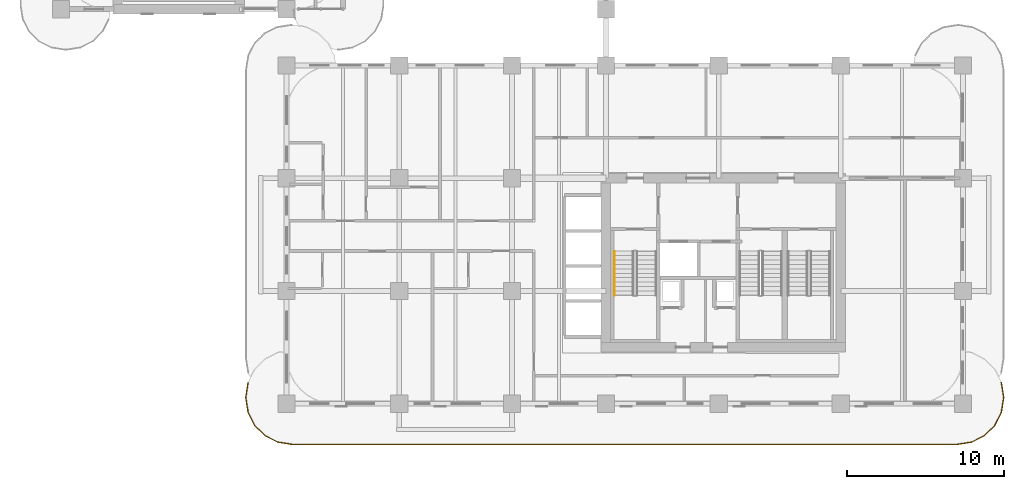
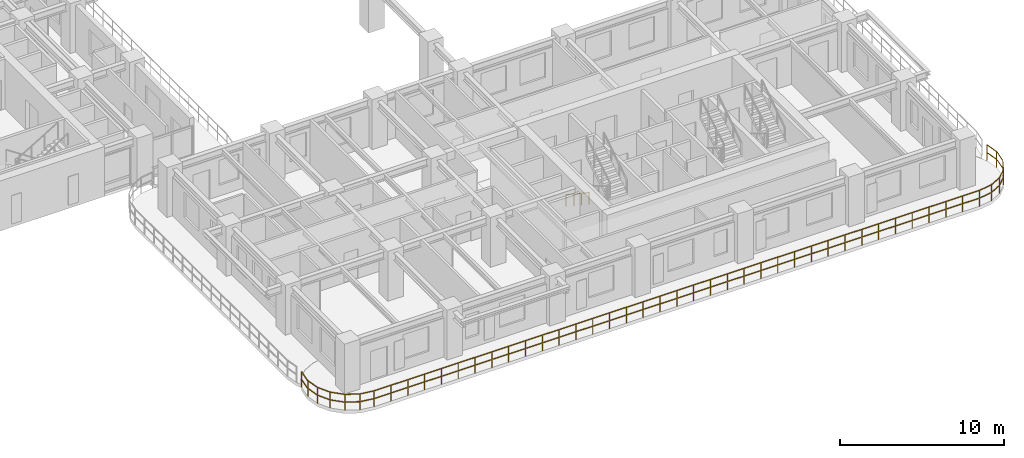
# One storey, part 14 of 19: 2 railings.
"""IFC4 building model written with IfcOpenShell, lengths in metres."""

from ifc_helpers import new_model, si_unit, derived_unit, direction, frame, origin, origin_2d, place, context, subcontext, project, spatial, rectangle, extrude, material, type_object, element, save


model = new_model("IFC4")

# Units and contexts
model_context = context("Model", 3, precision=1e-05, world=origin(), true_north=direction((0.0, 1.0)))
body_context = subcontext(model_context, "Body", "Model", "MODEL_VIEW")
ifc_project = project(units=[si_unit("LENGTHUNIT", "METRE"), si_unit("AREAUNIT", "SQUARE_METRE"), si_unit("VOLUMEUNIT", "CUBIC_METRE"), si_unit("PLANEANGLEUNIT", "RADIAN"), si_unit("MASSUNIT", "GRAM", prefix="KILO"), si_unit("THERMODYNAMICTEMPERATUREUNIT", "KELVIN"), si_unit("POWERUNIT", "WATT"), derived_unit("THERMALTRANSMITTANCEUNIT", [(si_unit("POWERUNIT", "WATT"), 1), (si_unit("AREAUNIT", "SQUARE_METRE"), -1), (si_unit("THERMODYNAMICTEMPERATUREUNIT", "KELVIN"), -1)])], contexts=[model_context])

# Site, building, storey
site_placement = place(None, origin())
site = spatial("IfcSite", under=ifc_project, at=site_placement, CompositionType="ELEMENT")
building_placement = place(site_placement, origin())
building = spatial("IfcBuilding", under=site, at=building_placement, Name="Zahravan Archway Hotel and Residences", CompositionType="ELEMENT")
storey_placement = place(building_placement, frame((0.0, 0.0, 39.800048828125)))
storey = spatial("IfcBuildingStorey", under=building, at=storey_placement, Name="L08", CompositionType="ELEMENT", Elevation=39.800048828125)

# Railings
ifc_material_1 = material(Name="Bronze & Laminated Glass Balustrade", Category="glass")
railing_type_1 = type_object("IfcRailingType", Name="RL-BAL-1200", PredefinedType="BALUSTRADE", material=ifc_material_1)
railing_1_placement = place(storey_placement, frame((60.0556640625, 1.361572265625, 0.0)))
element("IfcRailing", 1, at=railing_1_placement, inside=storey, type_object=railing_type_1, Name="L08 Balustrade RL-SLB-BAL-L08-SA-1", PredefinedType="BALUSTRADE", context=body_context, shape_type="SweptSolid", body=[
    extrude(rectangle(XDim=0.048095703125, YDim=0.048095703125, at=origin_2d()), frame((0.0, 0.0, 1.17578125), z_axis=(0.156329311416, -0.987704989555, 0.0), x_axis=(0.987704989555, 0.156329311416, 0.0)), (0.0, 0.0, 1.0), 0.9228515625),
    extrude(rectangle(XDim=0.048095703125, YDim=0.048095703125, at=origin_2d()), frame((0.0, 0.0, 0.60009765625), z_axis=(0.156329311416, -0.987704989555, 0.0), x_axis=(0.987704989555, 0.156329311416, 0.0)), (0.0, 0.0, 1.0), 0.9228515625),
    extrude(rectangle(XDim=0.048095703125, YDim=0.048095703125, at=origin_2d()), frame((0.144287109375, -0.91162109375, 1.17578125), z_axis=(0.0, -1.0, 0.0), x_axis=(1.0, 0.0, 0.0)), (0.0, 0.0, 1.0), 0.099853515625),
    extrude(rectangle(XDim=0.048095703125, YDim=0.048095703125, at=origin_2d()), frame((0.144287109375, -0.91162109375, 0.60009765625), z_axis=(0.0, -1.0, 0.0), x_axis=(1.0, 0.0, 0.0)), (0.0, 0.0, 1.0), 0.099853515625),
    extrude(rectangle(XDim=0.048095703125, YDim=0.048095703125, at=origin_2d()), frame((0.144287109375, -1.011474609375, 1.17578125), z_axis=(-0.156329311416, -0.987704989555, 0.0), x_axis=(0.987704989555, -0.156329311416, 0.0)), (0.0, 0.0, 1.0), 0.9228515625),
    extrude(rectangle(XDim=0.048095703125, YDim=0.048095703125, at=origin_2d()), frame((0.144287109375, -1.011474609375, 0.60009765625), z_axis=(-0.156329311416, -0.987704989555, 0.0), x_axis=(0.987704989555, -0.156329311416, 0.0)), (0.0, 0.0, 1.0), 0.9228515625),
    extrude(rectangle(XDim=0.048095703125, YDim=0.048095703125, at=origin_2d()), frame((0.0, -1.923095703125, 1.17578125), z_axis=(-0.453866348456, -0.891069771532, 0.0), x_axis=(0.891069771532, -0.453866348456, 0.0)), (0.0, 0.0, 1.0), 0.923095703125),
    extrude(rectangle(XDim=0.048095703125, YDim=0.048095703125, at=origin_2d()), frame((0.0, -1.923095703125, 0.60009765625), z_axis=(-0.453866348456, -0.891069771532, 0.0), x_axis=(0.891069771532, -0.453866348456, 0.0)), (0.0, 0.0, 1.0), 0.923095703125),
    extrude(rectangle(XDim=0.048095703125, YDim=0.048095703125, at=origin_2d()), frame((-0.4189453125, -2.74560546875, 1.17578125), z_axis=(-0.707239012465, -0.706974525176, 0.0), x_axis=(0.706974525176, -0.707239012465, 0.0)), (0.0, 0.0, 1.0), 0.923095703125),
    extrude(rectangle(XDim=0.048095703125, YDim=0.048095703125, at=origin_2d()), frame((-0.4189453125, -2.74560546875, 0.60009765625), z_axis=(-0.707239012465, -0.706974525176, 0.0), x_axis=(0.706974525176, -0.707239012465, 0.0)), (0.0, 0.0, 1.0), 0.923095703125),
    extrude(rectangle(XDim=0.048095703125, YDim=0.048095703125, at=origin_2d()), frame((-1.07177734375, -3.398193359375, 1.17578125), z_axis=(-0.891015268556, -0.453973337542, 0.0), x_axis=(0.453973337542, -0.891015268556, 0.0)), (0.0, 0.0, 1.0), 0.9228515625),
    extrude(rectangle(XDim=0.048095703125, YDim=0.048095703125, at=origin_2d()), frame((-1.07177734375, -3.398193359375, 0.60009765625), z_axis=(-0.891015268556, -0.453973337542, 0.0), x_axis=(0.453973337542, -0.891015268556, 0.0)), (0.0, 0.0, 1.0), 0.9228515625),
    extrude(rectangle(XDim=0.048095703125, YDim=0.048095703125, at=origin_2d()), frame((-1.89404296875, -3.817138671875, 1.17578125), z_axis=(-0.98766411426, -0.156587347521, 0.0), x_axis=(0.156587347521, -0.98766411426, 0.0)), (0.0, 0.0, 1.0), 0.923095703125),
    extrude(rectangle(XDim=0.048095703125, YDim=0.048095703125, at=origin_2d()), frame((-1.89404296875, -3.817138671875, 0.60009765625), z_axis=(-0.98766411426, -0.156587347521, 0.0), x_axis=(0.156587347521, -0.98766411426, 0.0)), (0.0, 0.0, 1.0), 0.923095703125),
    extrude(rectangle(XDim=0.048095703125, YDim=0.048095703125, at=origin_2d()), frame((-2.8056640625, -3.961669921875, 1.17578125), z_axis=(-1.0, 0.0, 0.0), x_axis=(0.0, -1.0, 0.0)), (0.0, 0.0, 1.0), 42.5),
    extrude(rectangle(XDim=0.048095703125, YDim=0.048095703125, at=origin_2d()), frame((-2.8056640625, -3.961669921875, 0.60009765625), z_axis=(-1.0, 0.0, 0.0), x_axis=(0.0, -1.0, 0.0)), (0.0, 0.0, 1.0), 42.5),
    extrude(rectangle(XDim=0.048095703125, YDim=0.048095703125, at=origin_2d()), frame((-45.3056640625, -3.961669921875, 1.17578125), z_axis=(-0.98766411426, 0.156587347521, 0.0), x_axis=(-0.156587347521, -0.98766411426, 0.0)), (0.0, 0.0, 1.0), 0.923095703125),
    extrude(rectangle(XDim=0.048095703125, YDim=0.048095703125, at=origin_2d()), frame((-45.3056640625, -3.961669921875, 0.60009765625), z_axis=(-0.98766411426, 0.156587347521, 0.0), x_axis=(-0.156587347521, -0.98766411426, 0.0)), (0.0, 0.0, 1.0), 0.923095703125),
    extrude(rectangle(XDim=0.048095703125, YDim=0.048095703125, at=origin_2d()), frame((-46.21728515625, -3.817138671875, 1.17578125), z_axis=(-0.891015268556, 0.453973337542, 0.0), x_axis=(-0.453973337542, -0.891015268556, 0.0)), (0.0, 0.0, 1.0), 0.9228515625),
    extrude(rectangle(XDim=0.048095703125, YDim=0.048095703125, at=origin_2d()), frame((-46.21728515625, -3.817138671875, 0.60009765625), z_axis=(-0.891015268556, 0.453973337542, 0.0), x_axis=(-0.453973337542, -0.891015268556, 0.0)), (0.0, 0.0, 1.0), 0.9228515625),
    extrude(rectangle(XDim=0.048095703125, YDim=0.048095703125, at=origin_2d()), frame((-47.03955078125, -3.398193359375, 1.17578125), z_axis=(-0.707239012465, 0.706974525176, 0.0), x_axis=(-0.706974525176, -0.707239012465, 0.0)), (0.0, 0.0, 1.0), 0.923095703125),
    extrude(rectangle(XDim=0.048095703125, YDim=0.048095703125, at=origin_2d()), frame((-47.03955078125, -3.398193359375, 0.60009765625), z_axis=(-0.707239012465, 0.706974525176, 0.0), x_axis=(-0.706974525176, -0.707239012465, 0.0)), (0.0, 0.0, 1.0), 0.923095703125),
    extrude(rectangle(XDim=0.048095703125, YDim=0.048095703125, at=origin_2d()), frame((-47.6923828125, -2.74560546875, 1.17578125), z_axis=(-0.453866348456, 0.891069771532, 0.0), x_axis=(-0.891069771532, -0.453866348456, 0.0)), (0.0, 0.0, 1.0), 0.923095703125),
    extrude(rectangle(XDim=0.048095703125, YDim=0.048095703125, at=origin_2d()), frame((-47.6923828125, -2.74560546875, 0.60009765625), z_axis=(-0.453866348456, 0.891069771532, 0.0), x_axis=(-0.891069771532, -0.453866348456, 0.0)), (0.0, 0.0, 1.0), 0.923095703125),
    extrude(rectangle(XDim=0.048095703125, YDim=0.048095703125, at=origin_2d()), frame((-48.111328125, -1.923095703125, 1.17578125), z_axis=(-0.156329311416, 0.987704989555, 0.0), x_axis=(-0.987704989555, -0.156329311416, 0.0)), (0.0, 0.0, 1.0), 0.9228515625),
    extrude(rectangle(XDim=0.048095703125, YDim=0.048095703125, at=origin_2d()), frame((-48.111328125, -1.923095703125, 0.60009765625), z_axis=(-0.156329311416, 0.987704989555, 0.0), x_axis=(-0.987704989555, -0.156329311416, 0.0)), (0.0, 0.0, 1.0), 0.9228515625),
    extrude(rectangle(XDim=0.048095703125, YDim=0.048095703125, at=origin_2d()), frame((-48.255615234375, -1.011474609375, 1.17578125), z_axis=(0.0, 1.0, 0.0), x_axis=(-1.0, 0.0, 0.0)), (0.0, 0.0, 1.0), 0.099853515625),
    extrude(rectangle(XDim=0.048095703125, YDim=0.048095703125, at=origin_2d()), frame((-48.255615234375, -1.011474609375, 0.60009765625), z_axis=(0.0, 1.0, 0.0), x_axis=(-1.0, 0.0, 0.0)), (0.0, 0.0, 1.0), 0.099853515625),
    extrude(rectangle(XDim=0.048095703125, YDim=0.048095703125, at=origin_2d()), frame((-48.255615234375, -0.91162109375, 1.17578125), z_axis=(0.156329311416, 0.987704989555, 0.0), x_axis=(-0.987704989555, 0.156329311416, 0.0)), (0.0, 0.0, 1.0), 0.9228515625),
    extrude(rectangle(XDim=0.048095703125, YDim=0.048095703125, at=origin_2d()), frame((-48.255615234375, -0.91162109375, 0.60009765625), z_axis=(0.156329311416, 0.987704989555, 0.0), x_axis=(-0.987704989555, 0.156329311416, 0.0)), (0.0, 0.0, 1.0), 0.9228515625),
    extrude(rectangle(XDim=0.0419921875, YDim=0.0419921875, at=origin_2d()), origin(), (0.0, 0.0, 1.0), 1.15185546875),
    extrude(rectangle(XDim=0.0419921875, YDim=0.0419921875, at=origin_2d()), frame((0.144287109375, -0.91162109375, 0.0)), (0.0, 0.0, 1.0), 1.15185546875),
    extrude(rectangle(XDim=0.0419921875, YDim=0.0419921875, at=origin_2d()), frame((0.0, -1.923095703125, 0.0)), (0.0, 0.0, 1.0), 1.15185546875),
    extrude(rectangle(XDim=0.0419921875, YDim=0.0419921875, at=origin_2d()), frame((-0.4189453125, -2.74560546875, 0.0)), (0.0, 0.0, 1.0), 1.15185546875),
    extrude(rectangle(XDim=0.0419921875, YDim=0.0419921875, at=origin_2d()), frame((-1.07177734375, -3.398193359375, 0.0)), (0.0, 0.0, 1.0), 1.15185546875),
    extrude(rectangle(XDim=0.0419921875, YDim=0.0419921875, at=origin_2d()), frame((-1.89404296875, -3.817138671875, 0.0)), (0.0, 0.0, 1.0), 1.15185546875),
    extrude(rectangle(XDim=0.0419921875, YDim=0.0419921875, at=origin_2d()), frame((-2.8056640625, -3.961669921875, 0.0)), (0.0, 0.0, 1.0), 1.15185546875),
    extrude(rectangle(XDim=0.0419921875, YDim=0.0419921875, at=origin_2d()), frame((-3.986328125, -3.961669921875, 0.0)), (0.0, 0.0, 1.0), 1.15185546875),
    extrude(rectangle(XDim=0.0419921875, YDim=0.0419921875, at=origin_2d()), frame((-5.166748046875, -3.961669921875, 0.0)), (0.0, 0.0, 1.0), 1.15185546875),
    extrude(rectangle(XDim=0.0419921875, YDim=0.0419921875, at=origin_2d()), frame((-6.347412109375, -3.961669921875, 0.0)), (0.0, 0.0, 1.0), 1.15185546875),
    extrude(rectangle(XDim=0.0419921875, YDim=0.0419921875, at=origin_2d()), frame((-7.52783203125, -3.961669921875, 0.0)), (0.0, 0.0, 1.0), 1.15185546875),
    extrude(rectangle(XDim=0.0419921875, YDim=0.0419921875, at=origin_2d()), frame((-8.70849609375, -3.961669921875, 0.0)), (0.0, 0.0, 1.0), 1.15185546875),
    extrude(rectangle(XDim=0.0419921875, YDim=0.0419921875, at=origin_2d()), frame((-9.888916015625, -3.961669921875, 0.0)), (0.0, 0.0, 1.0), 1.15185546875),
    extrude(rectangle(XDim=0.0419921875, YDim=0.0419921875, at=origin_2d()), frame((-11.069580078125, -3.961669921875, 0.0)), (0.0, 0.0, 1.0), 1.15185546875),
    extrude(rectangle(XDim=0.0419921875, YDim=0.0419921875, at=origin_2d()), frame((-12.25, -3.961669921875, 0.0)), (0.0, 0.0, 1.0), 1.15185546875),
    extrude(rectangle(XDim=0.0419921875, YDim=0.0419921875, at=origin_2d()), frame((-13.4306640625, -3.961669921875, 0.0)), (0.0, 0.0, 1.0), 1.15185546875),
    extrude(rectangle(XDim=0.0419921875, YDim=0.0419921875, at=origin_2d()), frame((-14.611328125, -3.961669921875, 0.0)), (0.0, 0.0, 1.0), 1.15185546875),
    extrude(rectangle(XDim=0.0419921875, YDim=0.0419921875, at=origin_2d()), frame((-15.791748046875, -3.961669921875, 0.0)), (0.0, 0.0, 1.0), 1.15185546875),
    extrude(rectangle(XDim=0.0419921875, YDim=0.0419921875, at=origin_2d()), frame((-16.972412109375, -3.961669921875, 0.0)), (0.0, 0.0, 1.0), 1.15185546875),
    extrude(rectangle(XDim=0.0419921875, YDim=0.0419921875, at=origin_2d()), frame((-18.15283203125, -3.961669921875, 0.0)), (0.0, 0.0, 1.0), 1.15185546875),
    extrude(rectangle(XDim=0.0419921875, YDim=0.0419921875, at=origin_2d()), frame((-19.33349609375, -3.961669921875, 0.0)), (0.0, 0.0, 1.0), 1.15185546875),
    extrude(rectangle(XDim=0.0419921875, YDim=0.0419921875, at=origin_2d()), frame((-20.513916015625, -3.961669921875, 0.0)), (0.0, 0.0, 1.0), 1.15185546875),
    extrude(rectangle(XDim=0.0419921875, YDim=0.0419921875, at=origin_2d()), frame((-21.694580078125, -3.961669921875, 0.0)), (0.0, 0.0, 1.0), 1.15185546875),
    extrude(rectangle(XDim=0.0419921875, YDim=0.0419921875, at=origin_2d()), frame((-22.875, -3.961669921875, 0.0)), (0.0, 0.0, 1.0), 1.15185546875),
    extrude(rectangle(XDim=0.0419921875, YDim=0.0419921875, at=origin_2d()), frame((-24.0556640625, -3.961669921875, 0.0)), (0.0, 0.0, 1.0), 1.15185546875),
    extrude(rectangle(XDim=0.0419921875, YDim=0.0419921875, at=origin_2d()), frame((-25.236328125, -3.961669921875, 0.0)), (0.0, 0.0, 1.0), 1.15185546875),
    extrude(rectangle(XDim=0.0419921875, YDim=0.0419921875, at=origin_2d()), frame((-26.416748046875, -3.961669921875, 0.0)), (0.0, 0.0, 1.0), 1.15185546875),
    extrude(rectangle(XDim=0.0419921875, YDim=0.0419921875, at=origin_2d()), frame((-27.597412109375, -3.961669921875, 0.0)), (0.0, 0.0, 1.0), 1.15185546875),
    extrude(rectangle(XDim=0.0419921875, YDim=0.0419921875, at=origin_2d()), frame((-28.77783203125, -3.961669921875, 0.0)), (0.0, 0.0, 1.0), 1.15185546875),
    extrude(rectangle(XDim=0.0419921875, YDim=0.0419921875, at=origin_2d()), frame((-29.95849609375, -3.961669921875, 0.0)), (0.0, 0.0, 1.0), 1.15185546875),
    extrude(rectangle(XDim=0.0419921875, YDim=0.0419921875, at=origin_2d()), frame((-31.138916015625, -3.961669921875, 0.0)), (0.0, 0.0, 1.0), 1.15185546875),
    extrude(rectangle(XDim=0.0419921875, YDim=0.0419921875, at=origin_2d()), frame((-32.319580078125, -3.961669921875, 0.0)), (0.0, 0.0, 1.0), 1.15185546875),
    extrude(rectangle(XDim=0.0419921875, YDim=0.0419921875, at=origin_2d()), frame((-33.5, -3.961669921875, 0.0)), (0.0, 0.0, 1.0), 1.15185546875),
    extrude(rectangle(XDim=0.0419921875, YDim=0.0419921875, at=origin_2d()), frame((-34.6806640625, -3.961669921875, 0.0)), (0.0, 0.0, 1.0), 1.15185546875),
    extrude(rectangle(XDim=0.0419921875, YDim=0.0419921875, at=origin_2d()), frame((-35.861328125, -3.961669921875, 0.0)), (0.0, 0.0, 1.0), 1.15185546875),
    extrude(rectangle(XDim=0.0419921875, YDim=0.0419921875, at=origin_2d()), frame((-37.041748046875, -3.961669921875, 0.0)), (0.0, 0.0, 1.0), 1.15185546875),
    extrude(rectangle(XDim=0.0419921875, YDim=0.0419921875, at=origin_2d()), frame((-38.222412109375, -3.961669921875, 0.0)), (0.0, 0.0, 1.0), 1.15185546875),
    extrude(rectangle(XDim=0.0419921875, YDim=0.0419921875, at=origin_2d()), frame((-39.40283203125, -3.961669921875, 0.0)), (0.0, 0.0, 1.0), 1.15185546875),
    extrude(rectangle(XDim=0.0419921875, YDim=0.0419921875, at=origin_2d()), frame((-40.58349609375, -3.961669921875, 0.0)), (0.0, 0.0, 1.0), 1.15185546875),
    extrude(rectangle(XDim=0.0419921875, YDim=0.0419921875, at=origin_2d()), frame((-41.763916015625, -3.961669921875, 0.0)), (0.0, 0.0, 1.0), 1.15185546875),
    extrude(rectangle(XDim=0.0419921875, YDim=0.0419921875, at=origin_2d()), frame((-42.944580078125, -3.961669921875, 0.0)), (0.0, 0.0, 1.0), 1.15185546875),
    extrude(rectangle(XDim=0.0419921875, YDim=0.0419921875, at=origin_2d()), frame((-44.125, -3.961669921875, 0.0)), (0.0, 0.0, 1.0), 1.15185546875),
    extrude(rectangle(XDim=0.0419921875, YDim=0.0419921875, at=origin_2d()), frame((-45.3056640625, -3.961669921875, 0.0)), (0.0, 0.0, 1.0), 1.15185546875),
    extrude(rectangle(XDim=0.0419921875, YDim=0.0419921875, at=origin_2d()), frame((-46.21728515625, -3.817138671875, 0.0)), (0.0, 0.0, 1.0), 1.15185546875),
    extrude(rectangle(XDim=0.0419921875, YDim=0.0419921875, at=origin_2d()), frame((-47.03955078125, -3.398193359375, 0.0)), (0.0, 0.0, 1.0), 1.15185546875),
    extrude(rectangle(XDim=0.0419921875, YDim=0.0419921875, at=origin_2d()), frame((-47.6923828125, -2.74560546875, 0.0)), (0.0, 0.0, 1.0), 1.15185546875),
    extrude(rectangle(XDim=0.0419921875, YDim=0.0419921875, at=origin_2d()), frame((-48.111328125, -1.923095703125, 0.0)), (0.0, 0.0, 1.0), 1.15185546875),
    extrude(rectangle(XDim=0.0419921875, YDim=0.0419921875, at=origin_2d()), frame((-48.255615234375, -1.011474609375, 0.0)), (0.0, 0.0, 1.0), 1.15185546875),
    extrude(rectangle(XDim=0.0419921875, YDim=0.0419921875, at=origin_2d()), frame((-48.111328125, 0.0, 0.0)), (0.0, 0.0, 1.0), 1.15185546875),
])
ifc_material_2 = material(Name="Brushed Stainless Steel", Category="steel")
railing_type_2 = type_object("IfcRailingType", Name="RL-STH-900", PredefinedType="HANDRAIL", material=ifc_material_2)
railing_2_placement = place(storey_placement, frame((35.35009765625, 9.72998046875, 0.168212890625)))
element("IfcRailing", 2, at=railing_2_placement, inside=storey, type_object=railing_type_2, Name="L08 ST-A1 stair handrail 1", PredefinedType="HANDRAIL", context=body_context, shape_type="SweptSolid", body=[
    extrude(rectangle(XDim=0.048095703125, YDim=0.048095703125, at=origin_2d()), frame((0.0, 0.0, 0.8759765625), z_axis=(0.0, -0.83435981716, 0.551220187865), x_axis=(1.0, 0.0, 0.0)), (0.0, 0.0, 1.0), 3.35595703125),
    extrude(rectangle(XDim=0.0419921875, YDim=0.0419921875, at=origin_2d()), origin(), (0.0, 0.0, 1.0), 0.851806640625),
    extrude(rectangle(XDim=0.0419921875, YDim=0.0419921875, at=origin_2d()), frame((0.0, -0.933349609375, 0.61669921875)), (0.0, 0.0, 1.0), 0.851806640625),
    extrude(rectangle(XDim=0.0419921875, YDim=0.0419921875, at=origin_2d()), frame((0.0, -1.86669921875, 1.233154296875)), (0.0, 0.0, 1.0), 0.851806640625),
    extrude(rectangle(XDim=0.0419921875, YDim=0.0419921875, at=origin_2d()), frame((0.0, -2.800048828125, 1.849853515625)), (0.0, 0.0, 1.0), 0.851806640625),
])

save(model, "model.ifc")
